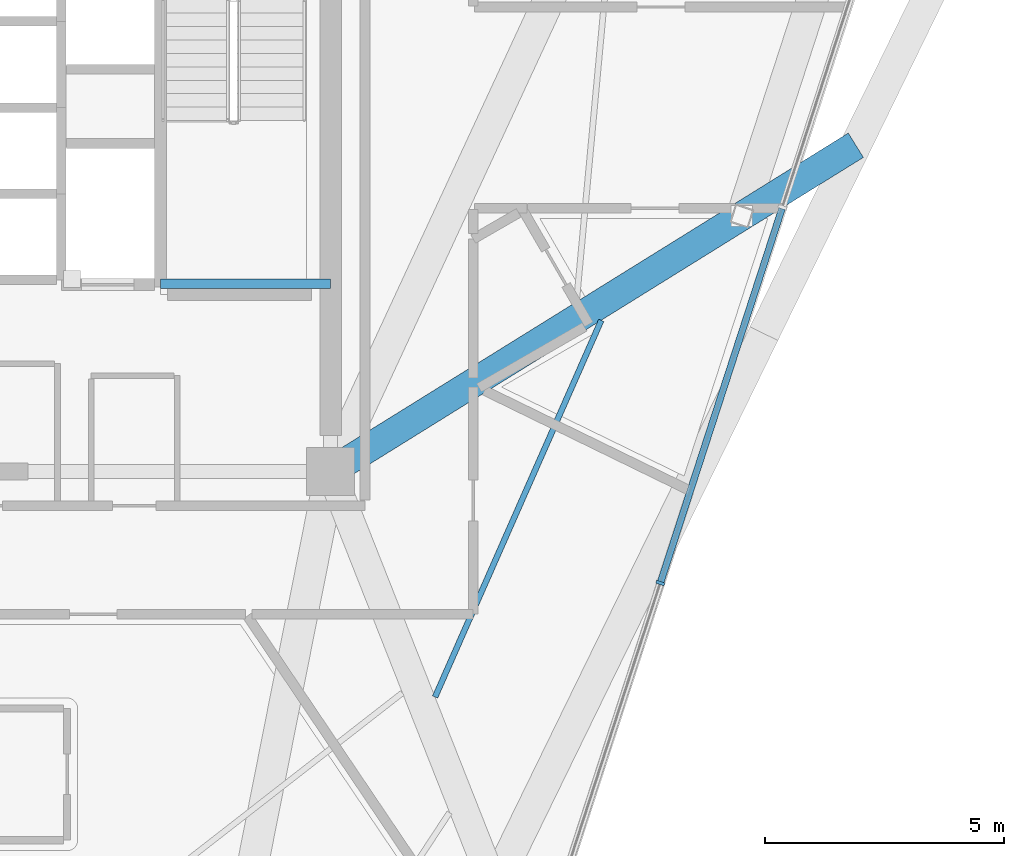
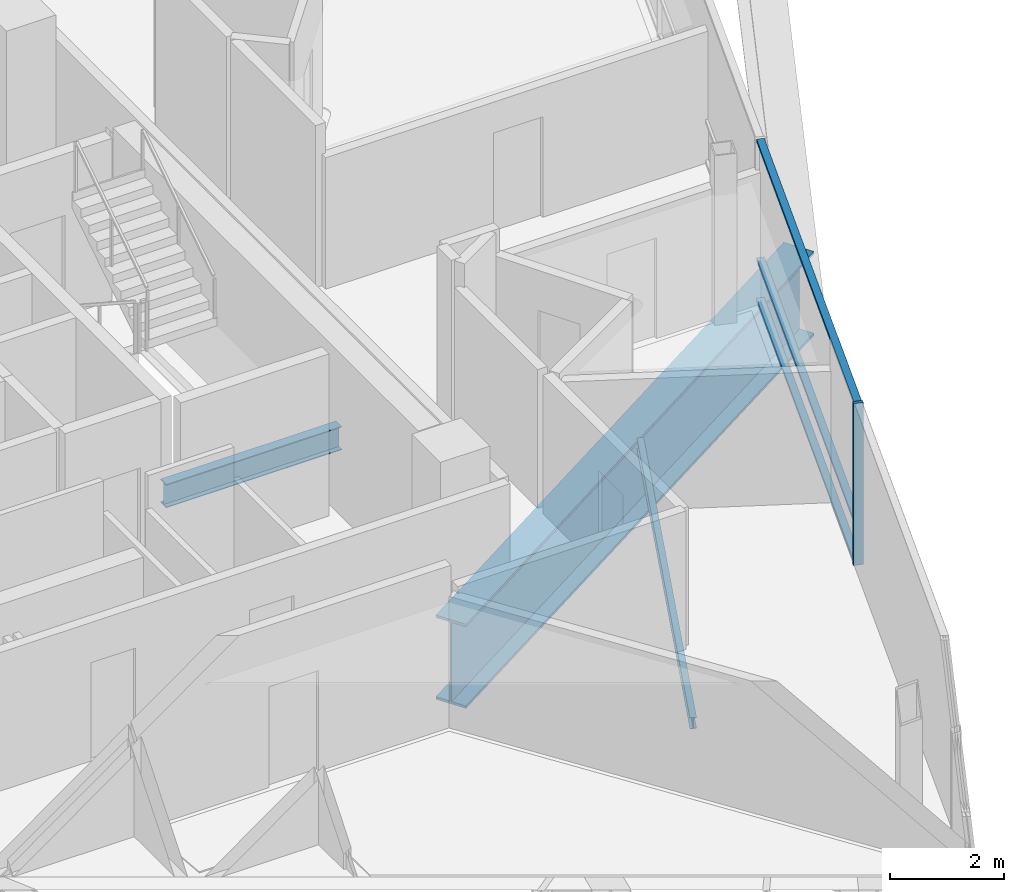
# One storey, part 5 of 18: 4 members, 3 beams, 1 element without a shape of its own.
"""IFC4 building model written with IfcOpenShell, lengths in metres."""

from ifc_helpers import new_model, si_unit, direction, frame, origin, origin_2d, place, context, subcontext, project, spatial, rectangle, i_section, extrude, material, layer, layer_set, material_profile, profile_set, type_object, element, aggregate, save


model = new_model("IFC4")

# Units and contexts
model_context = context("Model", 3, precision=1e-05, world=origin(), true_north=direction((0.0, 1.0)))
body_context = subcontext(model_context, "Body", "Model", "MODEL_VIEW")
ifc_project = project(units=[si_unit("LENGTHUNIT", "METRE"), si_unit("AREAUNIT", "SQUARE_METRE"), si_unit("VOLUMEUNIT", "CUBIC_METRE"), si_unit("PLANEANGLEUNIT", "RADIAN"), si_unit("MASSUNIT", "GRAM", prefix="KILO")], contexts=[model_context])

# Site, building, storey
site_placement = place(None, origin())
site = spatial("IfcSite", under=ifc_project, at=site_placement, CompositionType="ELEMENT")
building_placement = place(site_placement, origin())
building = spatial("IfcBuilding", under=site, at=building_placement, Name="Tharavind Bronze Gate", CompositionType="ELEMENT")
storey_placement = place(building_placement, frame((0.0, 0.0, 279.75)))
storey = spatial("IfcBuildingStorey", under=building, at=storey_placement, Name="L72", CompositionType="ELEMENT", Elevation=279.75)

# Curtain wall, members
ifc_material_1 = material(Name="Anodised Bronze Aluminium", Category="aluminium")
ifc_layer = layer(ifc_material_1, 0.219970703125)
ifc_layer_set = layer_set([ifc_layer], Name="Anodised Bronze Aluminium")
curtain_wall_type = type_object("IfcCurtainWallType", Name="UNITISED CURTAIN WALL CROWN", PredefinedType="USERDEFINED", material=ifc_layer_set)
curtain_wall_placement = place(storey_placement, origin())
curtain_wall = element("IfcCurtainWall", 1, at=curtain_wall_placement, inside=storey, type_object=curtain_wall_type, Name="L72 unitised curtain wall crown CW-L72-S2", ObjectType="UNITISED CURTAIN WALL", PredefinedType="USERDEFINED")
member_type_1 = type_object("IfcMemberType", Name="CURTAIN WALL BRONZE MULLION 65X180", PredefinedType="MULLION", material=ifc_material_1)
member_1_placement = place(storey_placement, frame((15.78759765625, -9.9296875, 0.0), z_axis=(0.0, 0.0, 1.0), x_axis=(0.309016994375, 0.951056516295, 0.0)))
member_1 = element("IfcMember", 2, at=member_1_placement, type_object=member_type_1, Name="CW-L72-S2 mullion 4", PredefinedType="MULLION", context=body_context, shape_type="SweptSolid", body=[
    extrude(rectangle(XDim=0.06494140625, YDim=0.179931640625, at=origin_2d()), origin(), (0.0, 0.0, 1.0), 3.465087890625),
])
member_type_2 = type_object("IfcMemberType", Name="CURTAIN WALL BRONZE TRANSOM 65X140", PredefinedType="USERDEFINED", material=ifc_material_1)
member_2_placement = place(storey_placement, frame((17.06201171875, -6.007568359375, 0.0), z_axis=(0.0, 0.0, 1.0), x_axis=(0.309016994375, 0.951056516295, 0.0)))
member_2 = element("IfcMember", 3, at=member_2_placement, type_object=member_type_2, Name="CW-L72-S2 transom TB4", ObjectType="TRANSOM", PredefinedType="USERDEFINED", context=body_context, shape_type="SweptSolid", body=[
    extrude(rectangle(XDim=8.195068359375, YDim=0.139892578125, at=origin_2d()), origin(), (0.0, 0.0, 1.0), 0.06494140625),
])
member_3_placement = place(storey_placement, frame((17.06201171875, -6.007568359375, 0.867431640625), z_axis=(0.0, 0.0, 1.0), x_axis=(0.309016994375, 0.951056516295, 0.0)))
member_3 = element("IfcMember", 4, at=member_3_placement, type_object=member_type_2, Name="CW-L72-S2 transom TS4", ObjectType="TRANSOM", PredefinedType="USERDEFINED", context=body_context, shape_type="SweptSolid", body=[
    extrude(rectangle(XDim=8.195068359375, YDim=0.139892578125, at=origin_2d()), origin(), (0.0, 0.0, 1.0), 0.06494140625),
])
member_4_placement = place(storey_placement, frame((17.06201171875, -6.007568359375, 3.400146484375), z_axis=(0.0, 0.0, 1.0), x_axis=(0.309016994375, 0.951056516295, 0.0)))
member_4 = element("IfcMember", 5, at=member_4_placement, type_object=member_type_2, Name="CW-L72-S2 transom TT4", ObjectType="TRANSOM", PredefinedType="USERDEFINED", context=body_context, shape_type="SweptSolid", body=[
    extrude(rectangle(XDim=8.195068359375, YDim=0.139892578125, at=origin_2d()), origin(), (0.0, 0.0, 1.0), 0.06494140625),
])
aggregate(curtain_wall, [member_1, member_2, member_3, member_4])

# Beams
ifc_material_2 = material(Name="Steel S355", Category="steel")
ifc_material_profile_1 = material_profile(ifc_material_2, i_section(OverallWidth=0.199951171875, OverallDepth=0.5, WebThickness=0.01025390625, FlangeThickness=0.01611328125, at=origin_2d()), Name="IPE500")
ifc_profile_set_1 = profile_set([ifc_material_profile_1], Name="Steel S355")
beam_type_1 = type_object("IfcBeamType", Name="PRIMARY GIRDER IPE500", PredefinedType="USERDEFINED", material=ifc_profile_set_1)
beam_1_placement = place(storey_placement, frame((5.35009765625, -3.679931640625, 1.375), z_axis=(1.0, 0.0, 0.0), x_axis=(0.0, 1.0, 0.0)))
element("IfcBeam", 6, at=beam_1_placement, inside=storey, type_object=beam_type_1, Name="L72 primary girder ipe500 BM-LD-ST2-L72-1", ObjectType="GIRDER", PredefinedType="USERDEFINED", context=body_context, shape_type="SweptSolid", body=[
    extrude(i_section(OverallWidth=0.199951171875, OverallDepth=0.5, WebThickness=0.01025390625, FlangeThickness=0.01611328125, at=origin_2d()), origin(), (0.0, 0.0, 1.0), 3.5498046875),
])
ifc_material_profile_2 = material_profile(ifc_material_2, i_section(OverallWidth=0.1201171875, OverallDepth=0.239990234375, WebThickness=0.006103515625, FlangeThickness=0.009765625, at=origin_2d()), Name="IPE240")
ifc_profile_set_2 = profile_set([ifc_material_profile_2], Name="Steel S355")
beam_type_2 = type_object("IfcBeamType", Name="SECONDARY FLOOR JOIST IPE240", PredefinedType="JOIST", material=ifc_profile_set_2)
beam_2_placement = place(storey_placement, frame((11.0830078125, -12.30908203125, -0.31005859375), z_axis=(0.403683560429, 0.914898673646, 0.0), x_axis=(-0.914898673646, 0.403683560429, 0.0)))
element("IfcBeam", 7, at=beam_2_placement, inside=storey, type_object=beam_type_2, Name="L72 secondary floor joist ipe240 BM-L72-JSTA06", PredefinedType="JOIST", context=body_context, shape_type="SweptSolid", body=[
    extrude(i_section(OverallWidth=0.1201171875, OverallDepth=0.239990234375, WebThickness=0.006103515625, FlangeThickness=0.009765625, at=origin_2d()), origin(), (0.0, 0.0, 1.0), 8.595703125),
])
ifc_material_3 = material(Name="Steel S460", Category="steel")
ifc_material_profile_3 = material_profile(ifc_material_3, i_section(OverallWidth=0.60009765625, OverallDepth=1.800048828125, WebThickness=0.031982421875, FlangeThickness=0.054931640625, at=origin_2d()), Name="PG1800X600")
ifc_profile_set_3 = profile_set([ifc_material_profile_3], Name="Steel S460")
beam_type_3 = type_object("IfcBeamType", Name="TRANSFER GIRDER 1800X600", PredefinedType="USERDEFINED", material=ifc_profile_set_3)
beam_3_placement = place(storey_placement, frame((8.89990234375, -7.60009765625, -1.090087890625), z_axis=(0.849493502418, 0.527599080126, 0.0), x_axis=(-0.527599080126, 0.849493502418, 0.0)))
element("IfcBeam", 8, at=beam_3_placement, inside=storey, type_object=beam_type_3, Name="L72 transfer girder 1800x600 BM-L72-XFR07", ObjectType="TRANSFER GIRDER", PredefinedType="USERDEFINED", context=body_context, shape_type="SweptSolid", body=[
    extrude(i_section(OverallWidth=0.60009765625, OverallDepth=1.800048828125, WebThickness=0.031982421875, FlangeThickness=0.054931640625, at=origin_2d()), origin(), (0.0, 0.0, 1.0), 12.9140625),
])

save(model, "model.ifc")
